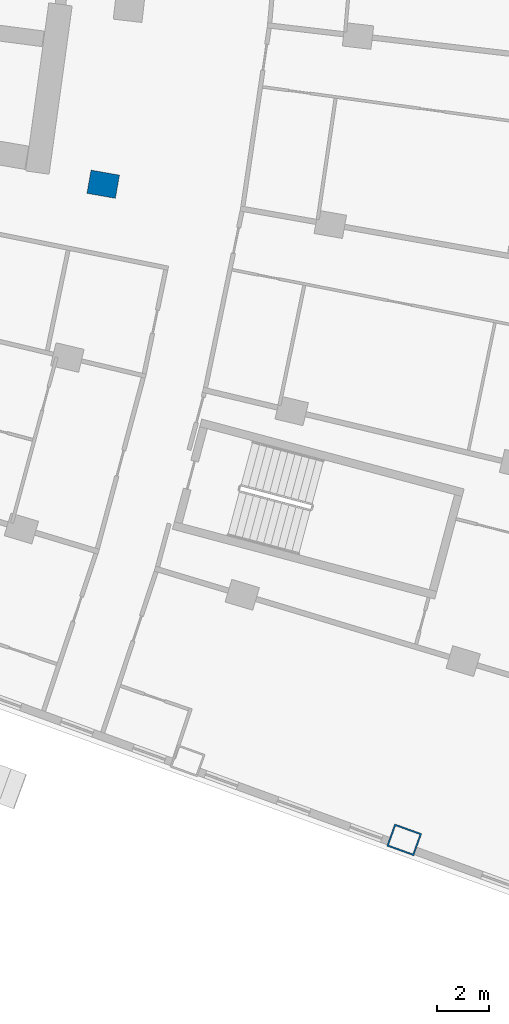
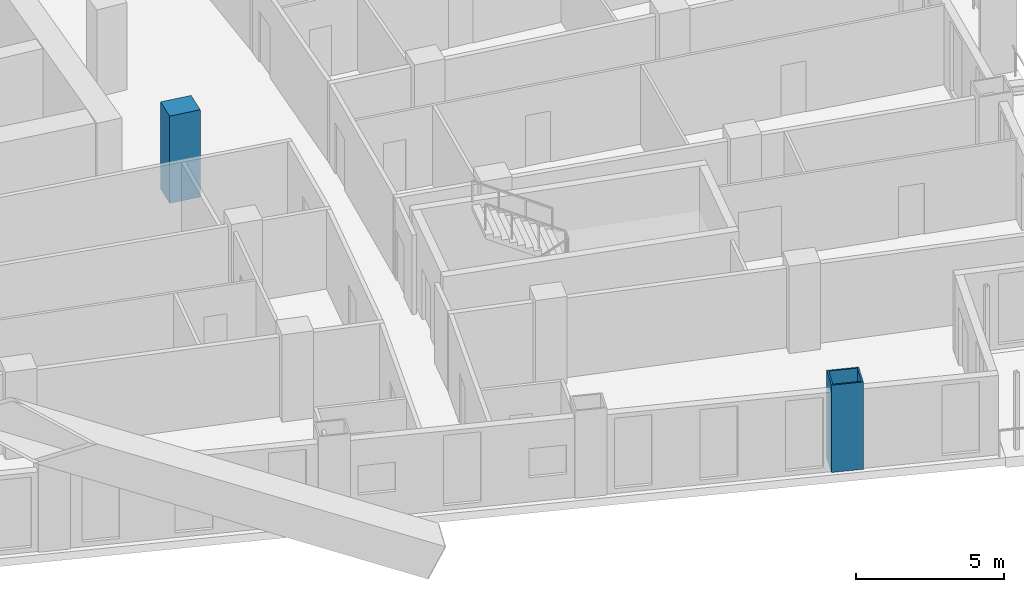
# One storey, part 4 of 25: 2 columns.
"""IFC4 building model written with IfcOpenShell, lengths in metres."""

from ifc_helpers import new_model, si_unit, direction, frame, origin, origin_2d, place, context, subcontext, project, spatial, rectangle, hollow_rectangle, extrude, material, material_profile, profile_set, type_object, element, save


model = new_model("IFC4")

# Units and contexts
model_context = context("Model", 3, precision=1e-05, world=origin(), true_north=direction((0.0, 1.0)))
body_context = subcontext(model_context, "Body", "Model", "MODEL_VIEW")
ifc_project = project(units=[si_unit("LENGTHUNIT", "METRE"), si_unit("AREAUNIT", "SQUARE_METRE"), si_unit("VOLUMEUNIT", "CUBIC_METRE"), si_unit("PLANEANGLEUNIT", "RADIAN"), si_unit("MASSUNIT", "GRAM", prefix="KILO")], contexts=[model_context])

# Site, building, storey
site_placement = place(None, origin())
site = spatial("IfcSite", under=ifc_project, at=site_placement, CompositionType="ELEMENT")
building_placement = place(site_placement, origin())
building = spatial("IfcBuilding", under=site, at=building_placement, Name="Alderwake Tower", CompositionType="ELEMENT")
storey_placement = place(building_placement, frame((0.0, 0.0, 64.39990234375)))
storey = spatial("IfcBuildingStorey", under=building, at=storey_placement, Name="L15", CompositionType="ELEMENT", Elevation=64.39990234375)

# Columns
ifc_material_1 = material(Name="Steel ASTM A572 Grade 50 concrete filled C70/85", Category="concrete")
ifc_material_profile_1 = material_profile(ifc_material_1, hollow_rectangle(XDim=0.89990234375, YDim=1.10009765625, WallThickness=0.06005859375, at=origin_2d()), Name="BOX 1100X900X60")
ifc_profile_set_1 = profile_set([ifc_material_profile_1], Name="Steel ASTM A572 Grade 50 concrete filled C70/85")
column_type_1 = type_object("IfcColumnType", Name="End column Z1", PredefinedType="COLUMN", material=ifc_profile_set_1)
column_1_placement = place(storey_placement, frame((45.516845703125, 15.821533203125, 0.0), z_axis=(0.0, 0.0, 1.0), x_axis=(0.338668949173, 0.940905597213, 0.0)))
element("IfcColumn", 1, at=column_1_placement, inside=storey, type_object=column_type_1, Name="Column R01-C4", PredefinedType="COLUMN", context=body_context, shape_type="SweptSolid", body=[
    extrude(hollow_rectangle(XDim=0.89990234375, YDim=1.10009765625, WallThickness=0.06005859375, at=origin_2d()), origin(), (0.0, 0.0, 1.0), 3.60009765625),
])
ifc_material_2 = material(Name="Concrete C70/85", Category="concrete")
ifc_material_profile_2 = material_profile(ifc_material_2, rectangle(XDim=0.89990234375, YDim=1.10009765625, at=origin_2d()), Name="RC 1100X900")
ifc_profile_set_2 = profile_set([ifc_material_profile_2], Name="Concrete C70/85")
column_type_2 = type_object("IfcColumnType", Name="Interior column Z1", PredefinedType="COLUMN", material=ifc_profile_set_2)
column_2_placement = place(storey_placement, frame((34.03125, 40.83837890625, 0.0), z_axis=(0.0, 0.0, 1.0), x_axis=(0.174108800747, 0.984726421654, 0.0)))
element("IfcColumn", 2, at=column_2_placement, inside=storey, type_object=column_type_2, Name="Column R04-C2", PredefinedType="COLUMN", context=body_context, shape_type="SweptSolid", body=[
    extrude(rectangle(XDim=0.89990234375, YDim=1.10009765625, at=origin_2d()), origin(), (0.0, 0.0, 1.0), 3.60009765625),
])

save(model, "model.ifc")
